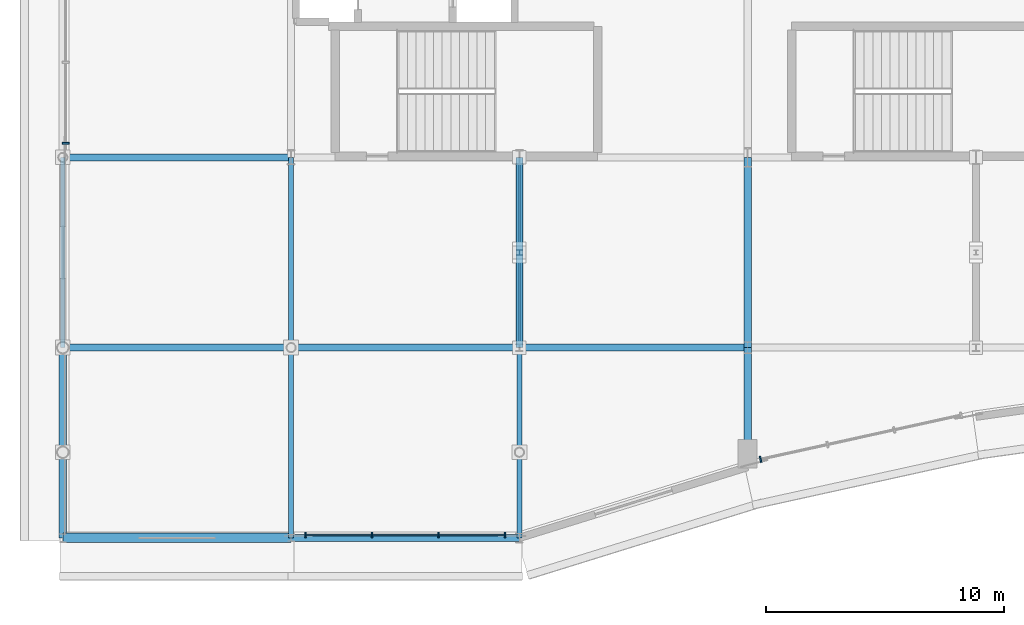
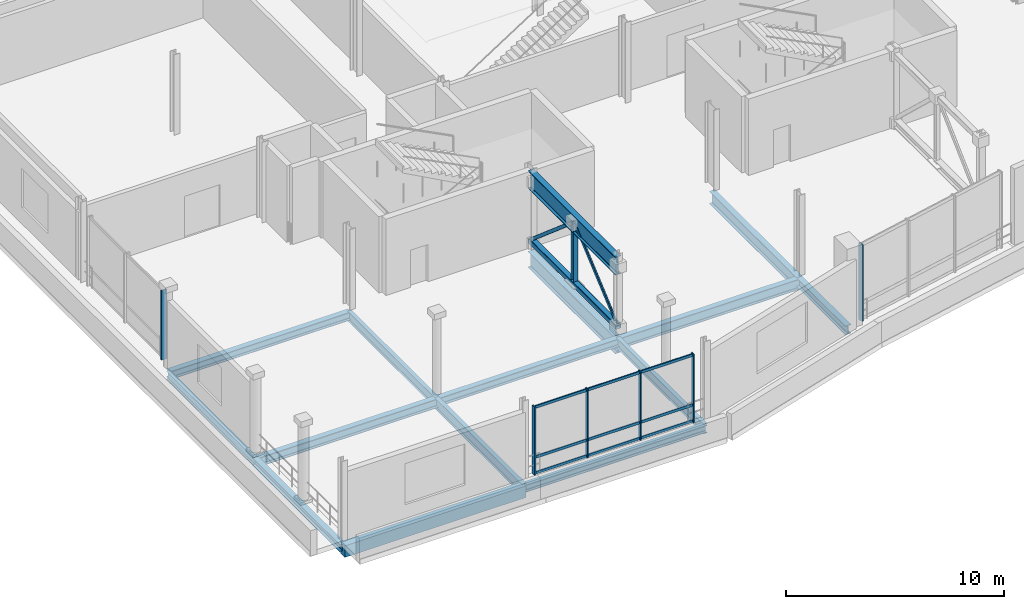
# One storey, part 25 of 193: 14 beams, 14 members, 3 elements without a shape of their own.
"""IFC4 building model written with IfcOpenShell, lengths in metres."""

from ifc_helpers import new_model, si_unit, direction, frame, origin, origin_2d, place, context, subcontext, project, spatial, rectangle, hollow_rectangle, i_section, extrude, material, material_profile, profile_set, type_object, element, aggregate, save


model = new_model("IFC4")

# Units and contexts
model_context = context("Model", 3, precision=1e-05, world=origin(), true_north=direction((0.0, 1.0)))
body_context = subcontext(model_context, "Body", "Model", "MODEL_VIEW")
ifc_project = project(units=[si_unit("LENGTHUNIT", "METRE"), si_unit("AREAUNIT", "SQUARE_METRE"), si_unit("VOLUMEUNIT", "CUBIC_METRE"), si_unit("PLANEANGLEUNIT", "RADIAN"), si_unit("MASSUNIT", "GRAM", prefix="KILO")], contexts=[model_context])

# Site, building, storey
site_placement = place(None, origin())
site = spatial("IfcSite", under=ifc_project, at=site_placement, CompositionType="ELEMENT")
building_placement = place(site_placement, origin())
building = spatial("IfcBuilding", under=site, at=building_placement, Name="Danafjord Basin Convention Centre", CompositionType="ELEMENT")
storey_placement = place(building_placement, frame((0.0, 0.0, 11.39990234375)))
storey = spatial("IfcBuildingStorey", under=building, at=storey_placement, Name="L02", CompositionType="ELEMENT", Elevation=11.39990234375)

# Beams
ifc_material_1 = material(Name="Steel S355", Category="steel")
ifc_material_profile_1 = material_profile(ifc_material_1, i_section(OverallWidth=0.300048828125, OverallDepth=0.489990234375, WebThickness=0.011962890625, FlangeThickness=0.02294921875, FilletRadius=0.027099609375, at=origin_2d()), Name="HEA 500")
ifc_profile_set_1 = profile_set([ifc_material_profile_1], Name="Steel S355")
beam_type_1 = type_object("IfcBeamType", Name="BEAM-BM-HEA500", PredefinedType="BEAM", material=ifc_profile_set_1)
beam_1_placement = place(storey_placement, frame((28.800048828125, 3.530029296875, -0.494873046875), z_axis=(0.0, 1.0, 0.0), x_axis=(-1.0, 0.0, 0.0)))
element("IfcBeam", 1, at=beam_1_placement, inside=storey, type_object=beam_type_1, Name="L02 radial harbour arc girder", PredefinedType="BEAM", context=body_context, shape_type="SweptSolid", body=[
    extrude(i_section(OverallWidth=0.300048828125, OverallDepth=0.489990234375, WebThickness=0.011962890625, FlangeThickness=0.02294921875, FilletRadius=0.027099609375, at=origin_2d()), origin(), (0.0, 0.0, 1.0), 4.469970703125),
])
ifc_material_profile_2 = material_profile(ifc_material_1, i_section(OverallWidth=0.300048828125, OverallDepth=0.590087890625, WebThickness=0.012939453125, FlangeThickness=0.02490234375, FilletRadius=0.027099609375, at=origin_2d()), Name="HEA 600")
ifc_profile_set_2 = profile_set([ifc_material_profile_2], Name="Steel S355")
beam_type_2 = type_object("IfcBeamType", Name="BEAM-BM-HEA600", PredefinedType="BEAM", material=ifc_profile_set_2)
beam_2_placement = place(storey_placement, frame((19.199951171875, 8.0, -0.544921875), z_axis=(1.0, 0.0, 0.0), x_axis=(0.0, 1.0, 0.0)))
element("IfcBeam", 2, at=beam_2_placement, inside=storey, type_object=beam_type_2, Name="L02 girder BM-HEA600", PredefinedType="BEAM", context=body_context, shape_type="SweptSolid", body=[
    extrude(i_section(OverallWidth=0.300048828125, OverallDepth=0.590087890625, WebThickness=0.012939453125, FlangeThickness=0.02490234375, FilletRadius=0.027099609375, at=origin_2d()), origin(), (0.0, 0.0, 1.0), 9.60009765625),
])
ifc_material_profile_3 = material_profile(ifc_material_1, i_section(OverallWidth=0.300048828125, OverallDepth=0.449951171875, WebThickness=0.013916015625, FlangeThickness=0.02587890625, FilletRadius=0.027099609375, at=origin_2d()), Name="HEB 450")
ifc_profile_set_3 = profile_set([ifc_material_profile_3], Name="Steel S355")
beam_type_3 = type_object("IfcBeamType", Name="BEAM-BM-HEB450", PredefinedType="BEAM", material=ifc_profile_set_3)
beam_3_placement = place(storey_placement, frame((0.0, 16.0, -0.474853515625), z_axis=(1.0, 0.0, 0.0), x_axis=(0.0, 1.0, 0.0)))
element("IfcBeam", 3, at=beam_3_placement, inside=storey, type_object=beam_type_3, Name="L02 girder BM-HEB450", PredefinedType="BEAM", context=body_context, shape_type="SweptSolid", body=[
    extrude(i_section(OverallWidth=0.300048828125, OverallDepth=0.449951171875, WebThickness=0.013916015625, FlangeThickness=0.02587890625, FilletRadius=0.027099609375, at=origin_2d()), origin(), (0.0, 0.0, 1.0), 9.60009765625),
])
beam_4_placement = place(storey_placement, frame((9.60009765625, 8.0, -0.474853515625), z_axis=(1.0, 0.0, 0.0), x_axis=(0.0, 1.0, 0.0)))
element("IfcBeam", 4, at=beam_4_placement, inside=storey, type_object=beam_type_3, Name="L02 girder BM-HEB450", PredefinedType="BEAM", context=body_context, shape_type="SweptSolid", body=[
    extrude(i_section(OverallWidth=0.300048828125, OverallDepth=0.449951171875, WebThickness=0.013916015625, FlangeThickness=0.02587890625, FilletRadius=0.027099609375, at=origin_2d()), origin(), (0.0, 0.0, 1.0), 9.599853515625),
])
ifc_material_profile_4 = material_profile(ifc_material_1, i_section(OverallWidth=0.300048828125, OverallDepth=0.5, WebThickness=0.014404296875, FlangeThickness=0.028076171875, FilletRadius=0.027099609375, at=origin_2d()), Name="HEB 500")
ifc_profile_set_4 = profile_set([ifc_material_profile_4], Name="Steel S355")
beam_type_4 = type_object("IfcBeamType", Name="BEAM-BM-HEB500", PredefinedType="BEAM", material=ifc_profile_set_4)
beam_5_placement = place(storey_placement, frame((0.0, 8.0, -0.5), z_axis=(1.0, 0.0, 0.0), x_axis=(0.0, 1.0, 0.0)))
element("IfcBeam", 5, at=beam_5_placement, inside=storey, type_object=beam_type_4, Name="L02 girder BM-HEB500", PredefinedType="BEAM", context=body_context, shape_type="SweptSolid", body=[
    extrude(i_section(OverallWidth=0.300048828125, OverallDepth=0.5, WebThickness=0.014404296875, FlangeThickness=0.028076171875, FilletRadius=0.027099609375, at=origin_2d()), origin(), (0.0, 0.0, 1.0), 9.60009765625),
])
ifc_material_profile_5 = material_profile(ifc_material_1, i_section(OverallWidth=0.300048828125, OverallDepth=0.699951171875, WebThickness=0.01708984375, FlangeThickness=0.031982421875, FilletRadius=0.027099609375, at=origin_2d()), Name="HEB 700")
ifc_profile_set_5 = profile_set([ifc_material_profile_5], Name="Steel S355")
beam_type_5 = type_object("IfcBeamType", Name="BEAM-BM-HEB700", PredefinedType="BEAM", material=ifc_profile_set_5)
beam_6_placement = place(storey_placement, frame((28.800048828125, 8.0, -0.599853515625), z_axis=(0.0, 1.0, 0.0), x_axis=(-1.0, 0.0, 0.0)))
element("IfcBeam", 6, at=beam_6_placement, inside=storey, type_object=beam_type_5, Name="L02 transverse girder BM-HEB700", PredefinedType="BEAM", context=body_context, shape_type="SweptSolid", body=[
    extrude(i_section(OverallWidth=0.300048828125, OverallDepth=0.699951171875, WebThickness=0.01708984375, FlangeThickness=0.031982421875, FilletRadius=0.027099609375, at=origin_2d()), origin(), (0.0, 0.0, 1.0), 8.0),
])
ifc_material_profile_6 = material_profile(ifc_material_1, i_section(OverallWidth=0.300048828125, OverallDepth=0.89990234375, WebThickness=0.0185546875, FlangeThickness=0.034912109375, FilletRadius=0.030029296875, at=origin_2d()), Name="HEB 900")
ifc_profile_set_6 = profile_set([ifc_material_profile_6], Name="Steel S355")
beam_type_6 = type_object("IfcBeamType", Name="BEAM-BM-HEB900", PredefinedType="BEAM", material=ifc_profile_set_6)
beam_7_placement = place(storey_placement, frame((19.199951171875, 8.0, -0.699951171875), z_axis=(0.0, 1.0, 0.0), x_axis=(-1.0, 0.0, 0.0)))
element("IfcBeam", 7, at=beam_7_placement, inside=storey, type_object=beam_type_6, Name="L02 transverse girder BM-HEB900", PredefinedType="BEAM", context=body_context, shape_type="SweptSolid", body=[
    extrude(i_section(OverallWidth=0.300048828125, OverallDepth=0.89990234375, WebThickness=0.0185546875, FlangeThickness=0.034912109375, FilletRadius=0.030029296875, at=origin_2d()), origin(), (0.0, 0.0, 1.0), 8.0),
])
ifc_material_profile_7 = material_profile(ifc_material_1, i_section(OverallWidth=0.2099609375, OverallDepth=0.550048828125, WebThickness=0.010986328125, FlangeThickness=0.01708984375, FilletRadius=0.02392578125, at=origin_2d()), Name="IPE 550")
ifc_profile_set_7 = profile_set([ifc_material_profile_7], Name="Steel S355")
beam_type_7 = type_object("IfcBeamType", Name="BEAM-BM-IPE550", PredefinedType="BEAM", material=ifc_profile_set_7)
for number, where, z_axis, x_axis, name in (
    (8, (9.60009765625, 8.0, -0.52490234375), (0.0, 1.0, 0.0), (-1.0, 0.0, 0.0), "L02 transverse girder BM-IPE550"),
    (9, (19.199951171875, 0.0, -0.52490234375), (0.0, 1.0, 0.0), (-1.0, 0.0, 0.0), "L02 transverse girder BM-IPE550"),
):
    element("IfcBeam", number, at=place(storey_placement, frame(where, z_axis=z_axis, x_axis=x_axis)), inside=storey, type_object=beam_type_7, Name=name, PredefinedType="BEAM", context=body_context, shape_type="SweptSolid", body=[
        extrude(i_section(OverallWidth=0.2099609375, OverallDepth=0.550048828125, WebThickness=0.010986328125, FlangeThickness=0.01708984375, FilletRadius=0.02392578125, at=origin_2d()), origin(), (0.0, 0.0, 1.0), 8.0),
    ])
ifc_material_profile_8 = material_profile(ifc_material_1, i_section(OverallWidth=0.219970703125, OverallDepth=0.60009765625, WebThickness=0.011962890625, FlangeThickness=0.01904296875, FilletRadius=0.02392578125, at=origin_2d()), Name="IPE 600")
ifc_profile_set_8 = profile_set([ifc_material_profile_8], Name="Steel S355")
beam_type_8 = type_object("IfcBeamType", Name="BEAM-BM-IPE600", PredefinedType="BEAM", material=ifc_profile_set_8)
beam_8_placement = place(storey_placement, frame((9.60009765625, 0.0, -0.5498046875), z_axis=(0.0, 1.0, 0.0), x_axis=(-1.0, 0.0, 0.0)))
element("IfcBeam", 10, at=beam_8_placement, inside=storey, type_object=beam_type_8, Name="L02 transverse girder BM-IPE600", PredefinedType="BEAM", context=body_context, shape_type="SweptSolid", body=[
    extrude(i_section(OverallWidth=0.219970703125, OverallDepth=0.60009765625, WebThickness=0.011962890625, FlangeThickness=0.01904296875, FilletRadius=0.02392578125, at=origin_2d()), origin(), (0.0, 0.0, 1.0), 8.0),
])
ifc_material_profile_9 = material_profile(ifc_material_1, i_section(OverallWidth=0.300048828125, OverallDepth=0.39990234375, WebThickness=0.013427734375, FlangeThickness=0.02392578125, FilletRadius=0.027099609375, at=origin_2d()), Name="HEB 400")
ifc_profile_set_9 = profile_set([ifc_material_profile_9], Name="Steel S355")
beam_type_9 = type_object("IfcBeamType", Name="BEAM-SP-HEB400", PredefinedType="SPANDREL", material=ifc_profile_set_9)
beam_9_placement = place(storey_placement, frame((9.60009765625, 0.0, -0.449951171875), z_axis=(1.0, 0.0, 0.0), x_axis=(0.0, 1.0, 0.0)))
element("IfcBeam", 11, at=beam_9_placement, inside=storey, type_object=beam_type_9, Name="L02 girder SP-HEB400", PredefinedType="SPANDREL", context=body_context, shape_type="SweptSolid", body=[
    extrude(i_section(OverallWidth=0.300048828125, OverallDepth=0.39990234375, WebThickness=0.013427734375, FlangeThickness=0.02392578125, FilletRadius=0.027099609375, at=origin_2d()), origin(), (0.0, 0.0, 1.0), 9.599853515625),
])
beam_10_placement = place(storey_placement, frame((0.0, 0.0, -0.449951171875), z_axis=(0.0, 1.0, 0.0), x_axis=(-1.0, 0.0, 0.0)))
element("IfcBeam", 12, at=beam_10_placement, inside=storey, type_object=beam_type_9, Name="L02 transverse girder SP-HEB400", PredefinedType="SPANDREL", context=body_context, shape_type="SweptSolid", body=[
    extrude(i_section(OverallWidth=0.300048828125, OverallDepth=0.39990234375, WebThickness=0.013427734375, FlangeThickness=0.02392578125, FilletRadius=0.027099609375, at=origin_2d()), origin(), (0.0, 0.0, 1.0), 8.0),
])
ifc_material_profile_10 = material_profile(ifc_material_1, i_section(OverallWidth=0.18994140625, OverallDepth=0.449951171875, WebThickness=0.009521484375, FlangeThickness=0.0146484375, FilletRadius=0.02099609375, at=origin_2d()), Name="IPE 450")
ifc_profile_set_10 = profile_set([ifc_material_profile_10], Name="Steel S355")
beam_type_10 = type_object("IfcBeamType", Name="BEAM-SP-IPE450", PredefinedType="SPANDREL", material=ifc_profile_set_10)
beam_11_placement = place(storey_placement, frame((0.0, 8.0, -0.474853515625), z_axis=(0.0, 1.0, 0.0), x_axis=(-1.0, 0.0, 0.0)))
element("IfcBeam", 13, at=beam_11_placement, inside=storey, type_object=beam_type_10, Name="L02 transverse girder SP-IPE450", PredefinedType="SPANDREL", context=body_context, shape_type="SweptSolid", body=[
    extrude(i_section(OverallWidth=0.18994140625, OverallDepth=0.449951171875, WebThickness=0.009521484375, FlangeThickness=0.0146484375, FilletRadius=0.02099609375, at=origin_2d()), origin(), (0.0, 0.0, 1.0), 8.0),
])
ifc_material_2 = material(Name="Precast concrete C45/55", Category="concrete")
ifc_material_profile_11 = material_profile(ifc_material_2, rectangle(XDim=0.39990234375, YDim=0.64990234375, at=origin_2d()), Name="PCB 400x650")
ifc_profile_set_11 = profile_set([ifc_material_profile_11], Name="Precast concrete C45/55")
beam_type_11 = type_object("IfcBeamType", Name="BEAM-SP-PCB650", PredefinedType="SPANDREL", material=ifc_profile_set_11)
beam_12_placement = place(storey_placement, frame((0.0, 0.0, -0.574951171875), z_axis=(1.0, 0.0, 0.0), x_axis=(0.0, 1.0, 0.0)))
element("IfcBeam", 14, at=beam_12_placement, inside=storey, type_object=beam_type_11, Name="L02 girder SP-PCB650", PredefinedType="SPANDREL", context=body_context, shape_type="SweptSolid", body=[
    extrude(rectangle(XDim=0.39990234375, YDim=0.64990234375, at=origin_2d()), origin(), (0.0, 0.0, 1.0), 9.60009765625),
])

# Members
ifc_material_profile_12 = material_profile(ifc_material_1, i_section(OverallWidth=0.300048828125, OverallDepth=1.0, WebThickness=0.01904296875, FlangeThickness=0.035888671875, FilletRadius=0.030029296875, at=origin_2d()), Name="HEB 1000")
ifc_profile_set_12 = profile_set([ifc_material_profile_12], Name="Steel S355")
member_type_1 = type_object("IfcMemberType", Name="MEM-CH-HEB1000", PredefinedType="CHORD", material=ifc_profile_set_12)
member_1_placement = place(storey_placement, frame((19.199951171875, 8.0, 3.77001953125), z_axis=(0.0, 1.0, 0.0), x_axis=(-1.0, 0.0, 0.0)))
element("IfcMember", 15, at=member_1_placement, inside=storey, type_object=member_type_1, Name="Transfer truss TT-01 top chord", PredefinedType="CHORD", context=body_context, shape_type="SweptSolid", body=[
    extrude(i_section(OverallWidth=0.300048828125, OverallDepth=1.0, WebThickness=0.01904296875, FlangeThickness=0.035888671875, FilletRadius=0.030029296875, at=origin_2d()), origin(), (0.0, 0.0, 1.0), 8.0),
])
ifc_material_profile_13 = material_profile(ifc_material_1, hollow_rectangle(XDim=0.300048828125, YDim=0.300048828125, WallThickness=0.01611328125, InnerFilletRadius=0.02392578125, OuterFilletRadius=0.0400390625, at=origin_2d()), Name="SHS 300x300x16.0")
ifc_profile_set_13 = profile_set([ifc_material_profile_13], Name="Steel S355")
member_type_2 = type_object("IfcMemberType", Name="MEM-CH-SHS300", PredefinedType="CHORD", material=ifc_profile_set_13)
member_2_placement = place(storey_placement, frame((19.199951171875, 8.0, 0.35009765625), z_axis=(0.0, 1.0, 0.0), x_axis=(-1.0, 0.0, 0.0)))
element("IfcMember", 16, at=member_2_placement, inside=storey, type_object=member_type_2, Name="Transfer truss TT-01 bottom chord", PredefinedType="CHORD", context=body_context, shape_type="SweptSolid", body=[
    extrude(hollow_rectangle(XDim=0.300048828125, YDim=0.300048828125, WallThickness=0.01611328125, InnerFilletRadius=0.02392578125, OuterFilletRadius=0.0400390625, at=origin_2d()), origin(), (0.0, 0.0, 1.0), 8.0),
])

# Curtain wall, members
ifc_material_3 = material(Name="Anodised aluminium and triple glazing", Category="aluminium")
curtain_wall_type_1 = type_object("IfcCurtainWallType", Name="CW-CW-HARB", PredefinedType="NOTDEFINED", material=ifc_material_3)
curtain_wall_1_placement = place(storey_placement, origin())
curtain_wall_1 = element("IfcCurtainWall", 17, at=curtain_wall_1_placement, inside=storey, type_object=curtain_wall_type_1, Name="L02 CW-HARB unitised curtain wall bay 22", PredefinedType="NOTDEFINED")
ifc_material_4 = material(Name="Anodised aluminium EN AW-6060", Category="aluminium")
ifc_material_profile_14 = material_profile(ifc_material_4, rectangle(XDim=0.06494140625, YDim=0.219970703125, at=origin_2d()), Name="MULL 65x220")
ifc_profile_set_14 = profile_set([ifc_material_profile_14], Name="Anodised aluminium EN AW-6060")
member_type_3 = type_object("IfcMemberType", Name="MEM-ML-220", PredefinedType="MULLION", material=ifc_profile_set_14)
member_3_placement = place(storey_placement, frame((10.199951171875, 0.1201171875, -0.02490234375), z_axis=(0.0, 0.0, 1.0), x_axis=(1.0, 0.0, 0.0)))
member_3 = element("IfcMember", 18, at=member_3_placement, type_object=member_type_3, Name="CW-L02-022 mullion 1", PredefinedType="MULLION", context=body_context, shape_type="SweptSolid", body=[
    extrude(rectangle(XDim=0.06494140625, YDim=0.219970703125, at=origin_2d()), origin(), (0.0, 0.0, 1.0), 3.839111328125),
])
member_4_placement = place(storey_placement, frame((13.0, 0.1201171875, -0.02490234375), z_axis=(0.0, 0.0, 1.0), x_axis=(1.0, 0.0, 0.0)))
member_4 = element("IfcMember", 19, at=member_4_placement, type_object=member_type_3, Name="CW-L02-022 mullion 2", PredefinedType="MULLION", context=body_context, shape_type="SweptSolid", body=[
    extrude(rectangle(XDim=0.06494140625, YDim=0.219970703125, at=origin_2d()), origin(), (0.0, 0.0, 1.0), 3.839111328125),
])
member_5_placement = place(storey_placement, frame((15.800048828125, 0.1201171875, -0.02490234375), z_axis=(0.0, 0.0, 1.0), x_axis=(1.0, 0.0, 0.0)))
member_5 = element("IfcMember", 20, at=member_5_placement, type_object=member_type_3, Name="CW-L02-022 mullion 3", PredefinedType="MULLION", context=body_context, shape_type="SweptSolid", body=[
    extrude(rectangle(XDim=0.06494140625, YDim=0.219970703125, at=origin_2d()), origin(), (0.0, 0.0, 1.0), 3.839111328125),
])
member_6_placement = place(storey_placement, frame((18.60009765625, 0.1201171875, -0.02490234375), z_axis=(0.0, 0.0, 1.0), x_axis=(1.0, 0.0, 0.0)))
member_6 = element("IfcMember", 21, at=member_6_placement, type_object=member_type_3, Name="CW-L02-022 mullion 4", PredefinedType="MULLION", context=body_context, shape_type="SweptSolid", body=[
    extrude(rectangle(XDim=0.06494140625, YDim=0.219970703125, at=origin_2d()), origin(), (0.0, 0.0, 1.0), 3.839111328125),
])

# Curtain wall, member
curtain_wall_2_placement = place(storey_placement, origin())
curtain_wall_2 = element("IfcCurtainWall", 22, at=curtain_wall_2_placement, inside=storey, type_object=curtain_wall_type_1, Name="L02 CW-HARB unitised curtain wall bay 23", PredefinedType="NOTDEFINED")
ifc_material_profile_15 = material_profile(ifc_material_4, rectangle(XDim=0.070068359375, YDim=0.260009765625, at=origin_2d()), Name="MULL 70x260")
ifc_profile_set_15 = profile_set([ifc_material_profile_15], Name="Anodised aluminium EN AW-6060")
member_type_4 = type_object("IfcMemberType", Name="MEM-ML-260", PredefinedType="MULLION", material=ifc_profile_set_15)
member_7_placement = place(storey_placement, frame((29.343505859375, 3.30224609375, -0.02490234375), z_axis=(0.0, 0.0, 1.0), x_axis=(0.976623114167, 0.214958816695, 0.0)))
member_7 = element("IfcMember", 23, at=member_7_placement, type_object=member_type_4, Name="CW-L02-023 mullion 1", PredefinedType="MULLION", context=body_context, shape_type="SweptSolid", body=[
    extrude(rectangle(XDim=0.070068359375, YDim=0.260009765625, at=origin_2d()), origin(), (0.0, 0.0, 1.0), 4.304931640625),
])
aggregate(curtain_wall_2, [member_7])

curtain_wall_type_2 = type_object("IfcCurtainWallType", Name="CW-CW-TERR", PredefinedType="NOTDEFINED", material=ifc_material_3)
curtain_wall_3_placement = place(storey_placement, origin())
curtain_wall_3 = element("IfcCurtainWall", 24, at=curtain_wall_3_placement, inside=storey, type_object=curtain_wall_type_2, Name="L02 CW-TERR unitised curtain wall bay 69", PredefinedType="NOTDEFINED")
ifc_material_profile_16 = material_profile(ifc_material_4, rectangle(XDim=0.080078125, YDim=0.300048828125, at=origin_2d()), Name="MULL 80x300")
ifc_profile_set_16 = profile_set([ifc_material_profile_16], Name="Anodised aluminium EN AW-6060")
member_type_5 = type_object("IfcMemberType", Name="MEM-ML-300", PredefinedType="MULLION", material=ifc_profile_set_16)
member_8_placement = place(storey_placement, frame((0.1201171875, 16.60009765625, -0.02490234375), z_axis=(0.0, 0.0, 1.0), x_axis=(0.0, -1.0, 0.0)))
member_8 = element("IfcMember", 25, at=member_8_placement, type_object=member_type_5, Name="CW-L02-069 mullion 3", PredefinedType="MULLION", context=body_context, shape_type="SweptSolid", body=[
    extrude(rectangle(XDim=0.080078125, YDim=0.300048828125, at=origin_2d()), origin(), (0.0, 0.0, 1.0), 3.885009765625),
])
aggregate(curtain_wall_3, [member_8])

# Member
ifc_material_profile_17 = material_profile(ifc_material_1, i_section(OverallWidth=0.239990234375, OverallDepth=0.239990234375, WebThickness=0.010009765625, FlangeThickness=0.01708984375, FilletRadius=0.02099609375, at=origin_2d()), Name="HEB 240")
ifc_profile_set_17 = profile_set([ifc_material_profile_17], Name="Steel S355")
member_type_6 = type_object("IfcMemberType", Name="MEM-ST-HEB240", PredefinedType="STRUT", material=ifc_profile_set_17)
member_9_placement = place(storey_placement, frame((19.199951171875, 12.0, 0.35009765625), z_axis=(0.0, 0.0, 1.0), x_axis=(1.0, 0.0, 0.0)))
element("IfcMember", 26, at=member_9_placement, inside=storey, type_object=member_type_6, Name="Transfer truss TT-01 mid-post", PredefinedType="STRUT", context=body_context, shape_type="SweptSolid", body=[
    extrude(i_section(OverallWidth=0.239990234375, OverallDepth=0.239990234375, WebThickness=0.010009765625, FlangeThickness=0.01708984375, FilletRadius=0.02099609375, at=origin_2d()), origin(), (0.0, 0.0, 1.0), 3.419921875),
])

ifc_material_profile_18 = material_profile(ifc_material_4, rectangle(XDim=0.06005859375, YDim=0.14990234375, at=origin_2d()), Name="TRAN 60x150")
ifc_profile_set_18 = profile_set([ifc_material_profile_18], Name="Anodised aluminium EN AW-6060")
member_type_7 = type_object("IfcMemberType", Name="MEM-TR-150", PredefinedType="USERDEFINED", material=ifc_profile_set_18)
member_10_placement = place(storey_placement, frame((10.199951171875, 0.1201171875, 0.06005859375), z_axis=(1.0, 0.0, 0.0), x_axis=(0.0, 1.0, 0.0)))
member_10 = element("IfcMember", 27, at=member_10_placement, type_object=member_type_7, Name="CW-L02-022 transom 1", ObjectType="TRANSOM", PredefinedType="USERDEFINED", context=body_context, shape_type="SweptSolid", body=[
    extrude(rectangle(XDim=0.06005859375, YDim=0.14990234375, at=origin_2d()), origin(), (0.0, 0.0, 1.0), 8.400146484375),
])

member_11_placement = place(storey_placement, frame((10.199951171875, 0.1201171875, 0.9501953125), z_axis=(1.0, 0.0, 0.0), x_axis=(0.0, 1.0, 0.0)))
member_11 = element("IfcMember", 28, at=member_11_placement, type_object=member_type_7, Name="CW-L02-022 transom 2", ObjectType="TRANSOM", PredefinedType="USERDEFINED", context=body_context, shape_type="SweptSolid", body=[
    extrude(rectangle(XDim=0.06005859375, YDim=0.14990234375, at=origin_2d()), origin(), (0.0, 0.0, 1.0), 8.400146484375),
])

member_12_placement = place(storey_placement, frame((10.199951171875, 0.1201171875, 3.744140625), z_axis=(1.0, 0.0, 0.0), x_axis=(0.0, 1.0, 0.0)))
member_12 = element("IfcMember", 29, at=member_12_placement, type_object=member_type_7, Name="CW-L02-022 transom 3", ObjectType="TRANSOM", PredefinedType="USERDEFINED", context=body_context, shape_type="SweptSolid", body=[
    extrude(rectangle(XDim=0.06005859375, YDim=0.14990234375, at=origin_2d()), origin(), (0.0, 0.0, 1.0), 8.400146484375),
])

aggregate(curtain_wall_1, [member_3, member_4, member_5, member_6, member_10, member_11, member_12])

# Members
ifc_material_profile_19 = material_profile(ifc_material_1, hollow_rectangle(XDim=0.080078125, YDim=0.179931640625, WallThickness=0.006103515625, InnerFilletRadius=0.009033203125, OuterFilletRadius=0.014892578125, at=origin_2d()), Name="RHS 180x80x6.0")
ifc_profile_set_19 = profile_set([ifc_material_profile_19], Name="Steel S355")
member_type_8 = type_object("IfcMemberType", Name="MEM-WB-RHS180", PredefinedType="MEMBER", material=ifc_profile_set_19)
for number, where, z_axis, x_axis, name in (
    (30, (19.199951171875, 8.0, 0.35009765625), (0.0, 0.760068124431, 0.649843401308), (-1.0, 0.0, 0.0), "Transfer truss TT-01 web member A"),
    (31, (19.199951171875, 16.0, 0.35009765625), (0.0, -0.760068124431, 0.649843401308), (1.0, 0.0, 0.0), "Transfer truss TT-01 web member B"),
):
    element("IfcMember", number, at=place(storey_placement, frame(where, z_axis=z_axis, x_axis=x_axis)), inside=storey, type_object=member_type_8, Name=name, PredefinedType="MEMBER", context=body_context, shape_type="SweptSolid", body=[
        extrude(hollow_rectangle(XDim=0.080078125, YDim=0.179931640625, WallThickness=0.006103515625, InnerFilletRadius=0.009033203125, OuterFilletRadius=0.014892578125, at=origin_2d()), origin(), (0.0, 0.0, 1.0), 5.2626953125),
    ])

save(model, "model.ifc")
